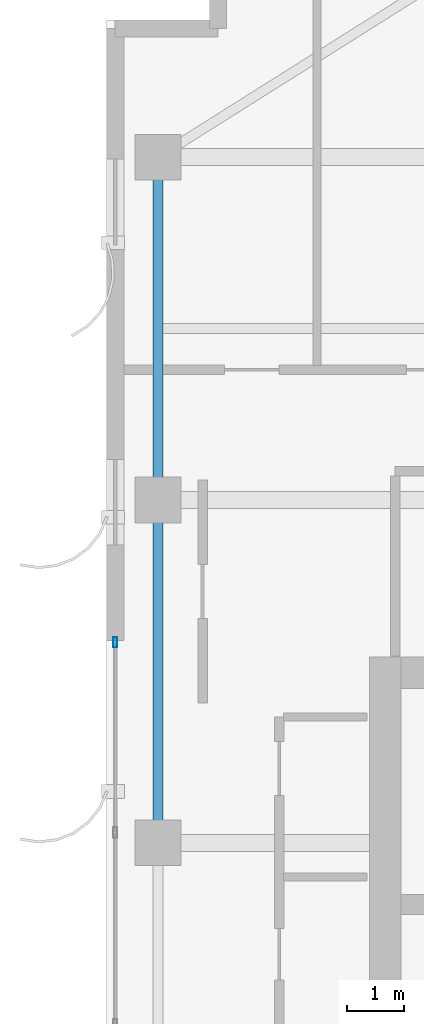
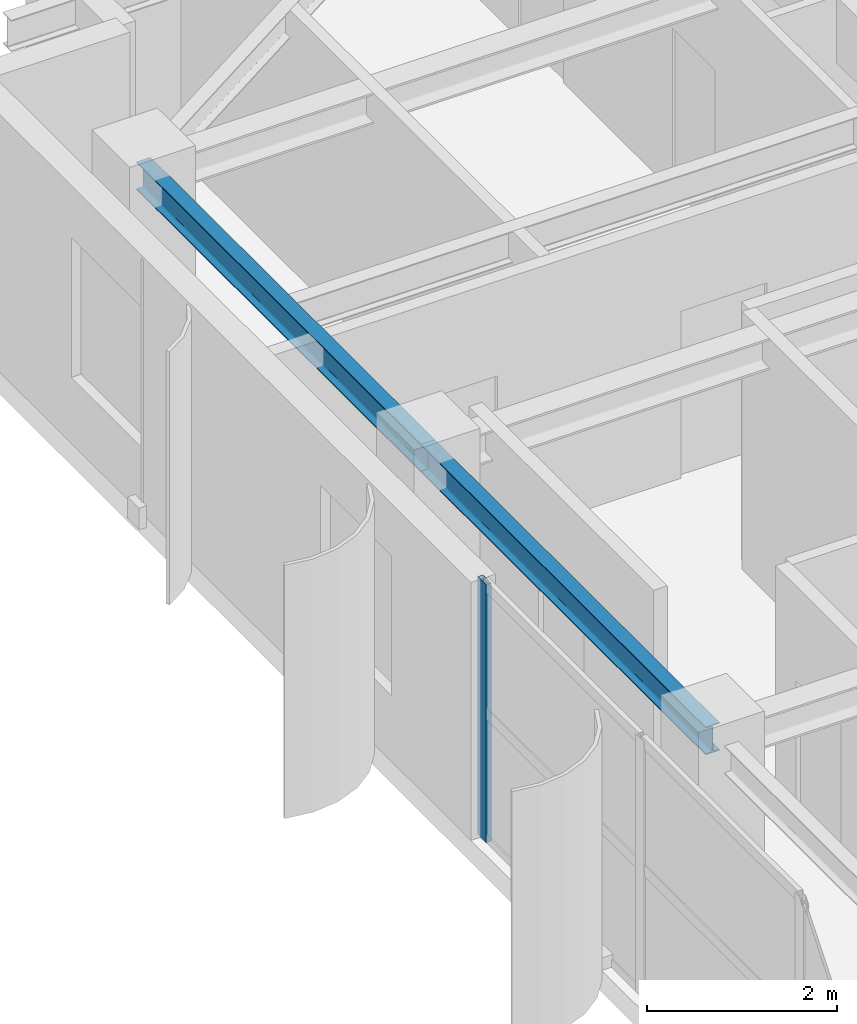
# One storey, part 10 of 23: 2 beams, 1 member, 1 element without a shape of its own.
"""IFC4 building model written with IfcOpenShell, lengths in metres."""

import ifcopenshell
import ifcopenshell.guid

model = None  # the IFC model being written
_history = None  # IfcOwnerHistory: only IFC2X3 demands one
_inside = {}  # id of a spatial element -> (the spatial element, [elements in it])
_under = {}  # id of a project, library or spatial element -> (it, [spatial elements below it])
_declared = {}  # id of a project -> (the project, [libraries it declares])
_typed = {}  # id of a type object -> (the type object, [elements of that type])
_made_of = {}  # id of a material, layer set ... -> (it, [elements and type objects made of it])


def new_model(schema):
    """Start an empty IFC model of exactly this schema.

    Asked for "IFC4X3", IfcOpenShell would pick the latest addendum, in which some entities
    have other attributes; the version numbers below select the first issue.
    IFC2X3 requires an IfcOwnerHistory on every rooted entity: one is made here for all.
    """
    global model, _history
    if schema == "IFC4X3":
        model = ifcopenshell.file(schema_version=(4, 3, 0, 0))
    else:
        model = ifcopenshell.file(schema=schema)
    _inside.clear()
    _under.clear()
    _declared.clear()
    _typed.clear()
    _made_of.clear()
    _history = None
    if model.schema == "IFC2X3":
        org = make("IfcOrganization", Name="unknown")
        user = make(
            "IfcPersonAndOrganization",
            ThePerson=make("IfcPerson", FamilyName="unknown"),
            TheOrganization=org,
        )
        app = make(
            "IfcApplication",
            ApplicationDeveloper=org,
            Version="unknown",
            ApplicationFullName="unknown",
            ApplicationIdentifier="unknown",
        )
        _history = make(
            "IfcOwnerHistory",
            OwningUser=user,
            OwningApplication=app,
            ChangeAction="ADDED",
            CreationDate=0,
        )
    return model


def make(cls, **values):
    """One entity of the class cls with the attributes given. An attribute that is None is left unset."""
    return model.create_entity(
        cls, **{name: value for name, value in values.items() if value is not None}
    )


def rooted(cls, **values):
    """An entity with a GlobalId (a new one), such as an element, a storey or a relation."""
    return make(cls, GlobalId=ifcopenshell.guid.new(), OwnerHistory=_history, **values)


def si_unit(unit_type, name, prefix=None):
    """IfcSIUnit, for example si_unit("LENGTHUNIT", "METRE", prefix="MILLI")."""
    return make("IfcSIUnit", UnitType=unit_type, Prefix=prefix, Name=name)


def assignment(units):
    """IfcUnitAssignment: the units of a project."""
    return None if units is None else make("IfcUnitAssignment", Units=units)


def point(xyz):
    """IfcCartesianPoint."""
    return None if xyz is None else make("IfcCartesianPoint", Coordinates=xyz)


def direction(xyz):
    """IfcDirection."""
    return None if xyz is None else make("IfcDirection", DirectionRatios=xyz)


def frame(location, z_axis=None, x_axis=None):
    """IfcAxis2Placement3D, a coordinate frame: its origin and axes. An axis left out is left unset."""
    return make(
        "IfcAxis2Placement3D",
        Location=point(location),
        Axis=direction(z_axis),
        RefDirection=direction(x_axis),
    )


def frame_2d(location, x_axis=None):
    """IfcAxis2Placement2D, a coordinate frame in the plane: its origin and x axis."""
    return make(
        "IfcAxis2Placement2D", Location=point(location), RefDirection=direction(x_axis)
    )


def origin():
    """The frame at (0, 0, 0) with its axes left unset."""
    return frame((0.0, 0.0, 0.0))


def origin_2d():
    """The frame at (0, 0) in the plane with its x axis left unset."""
    return frame_2d((0.0, 0.0))


def place(relative_to, where):
    """IfcLocalPlacement: puts the frame where relative to a parent placement (None: the world)."""
    return make(
        "IfcLocalPlacement", PlacementRelTo=relative_to, RelativePlacement=where
    )


def context(
    kind, dimensions, precision=None, world=None, true_north=None, identifier=None
):
    """IfcGeometricRepresentationContext, for example the 3D "Model" context."""
    return make(
        "IfcGeometricRepresentationContext",
        ContextIdentifier=identifier,
        ContextType=kind,
        CoordinateSpaceDimension=dimensions,
        Precision=precision,
        WorldCoordinateSystem=world,
        TrueNorth=true_north,
    )


def subcontext(parent, identifier, kind, view, scale=None):
    """IfcGeometricRepresentationSubContext, for example "Body" below "Model"."""
    return make(
        "IfcGeometricRepresentationSubContext",
        ContextIdentifier=identifier,
        ContextType=kind,
        ParentContext=parent,
        TargetScale=scale,
        TargetView=view,
    )


def project(units=None, contexts=None):
    """IfcProject with its units and contexts."""
    return rooted(
        "IfcProject",
        Name="project",
        RepresentationContexts=contexts,
        UnitsInContext=assignment(units),
    )


def spatial(cls, under=None, at=None, **own):
    """A site, building, storey or space (cls), placed at a placement, below another one or the project."""
    s = rooted(cls, ObjectPlacement=at, **own)
    if under is not None:
        _under.setdefault(under.id(), (under, []))[1].append(s)
    return s


def profile(cls, at=None, kind="AREA", **sizes):
    """A parametric profile (cls). Its sizes go by their IFC names, for example OverallWidth=200.0."""
    return make(cls, ProfileType=kind, Position=at, **sizes)


def hollow_rectangle(**sizes):
    """IfcRectangleHollowProfileDef."""
    return profile("IfcRectangleHollowProfileDef", **sizes)


def i_section(**sizes):
    """IfcIShapeProfileDef."""
    return profile("IfcIShapeProfileDef", **sizes)


def extrude(swept, where, along, depth):
    """IfcExtrudedAreaSolid: the profile swept, set in the frame where, extruded along a direction by depth."""
    return make(
        "IfcExtrudedAreaSolid",
        SweptArea=swept,
        Position=where,
        ExtrudedDirection=direction(along),
        Depth=depth,
    )


def shape(context_of_items, identifier, shape_type, items):
    """IfcShapeRepresentation: the items that make up one representation, for example the "Body"."""
    return make(
        "IfcShapeRepresentation",
        ContextOfItems=context_of_items,
        RepresentationIdentifier=identifier,
        RepresentationType=shape_type,
        Items=items,
    )


def source(mapping_origin, context_of_items, identifier, shape_type, items):
    """IfcRepresentationMap: a shape defined once, which mapped items show again and again."""
    return make(
        "IfcRepresentationMap",
        MappingOrigin=mapping_origin,
        MappedRepresentation=shape(context_of_items, identifier, shape_type, items),
    )


def transform(
    local_origin,
    x_axis=None,
    y_axis=None,
    z_axis=None,
    scale=None,
    scale2=None,
    scale3=None,
    uniform=True,
):
    """IfcCartesianTransformationOperator3D, or its non-uniform kind. x_axis, y_axis, z_axis: its Axis1, 2, 3."""
    if uniform:
        return make(
            "IfcCartesianTransformationOperator3D",
            Axis1=direction(x_axis),
            Axis2=direction(y_axis),
            LocalOrigin=point(local_origin),
            Scale=scale,
            Axis3=direction(z_axis),
        )
    return make(
        "IfcCartesianTransformationOperator3DnonUniform",
        Axis1=direction(x_axis),
        Axis2=direction(y_axis),
        LocalOrigin=point(local_origin),
        Scale=scale,
        Axis3=direction(z_axis),
        Scale2=scale2,
        Scale3=scale3,
    )


def mapped(mapping_source, mapping_target):
    """IfcMappedItem: shows the shape of a source again, moved by a transform."""
    return make(
        "IfcMappedItem", MappingSource=mapping_source, MappingTarget=mapping_target
    )


def material(Name=None, Category=None):
    """IfcMaterial."""
    return make("IfcMaterial", Name=Name, Category=Category)


def layer(
    of_material, thickness, ventilated=None, Name=None, Category=None, Priority=None
):
    """IfcMaterialLayer: one layer of a wall or slab, of a material (None: an air gap)."""
    return make(
        "IfcMaterialLayer",
        Material=of_material,
        LayerThickness=thickness,
        IsVentilated=ventilated,
        Name=Name,
        Category=Category,
        Priority=Priority,
    )


def layer_set(layers, Name=None):
    """IfcMaterialLayerSet."""
    return make("IfcMaterialLayerSet", MaterialLayers=layers, LayerSetName=Name)


def material_profile(
    of_material, cross_section, Name=None, Category=None, Priority=None
):
    """IfcMaterialProfile: a cross section and its material."""
    return make(
        "IfcMaterialProfile",
        Name=Name,
        Material=of_material,
        Profile=cross_section,
        Priority=Priority,
        Category=Category,
    )


def profile_set(profiles, Name=None, composite=None):
    """IfcMaterialProfileSet."""
    return make(
        "IfcMaterialProfileSet",
        Name=Name,
        MaterialProfiles=profiles,
        CompositeProfile=composite,
    )


def made_of(thing, what):
    """Note that an element or type object is made of a material, layer set ...; save() writes the relation."""
    if what is not None:
        _made_of.setdefault(what.id(), (what, []))[1].append(thing)
    return thing


def type_object(cls, material=None, **own):
    """A type object (cls), such as IfcWallType, which elements share."""
    return made_of(rooted(cls, **own), material)


def element(
    cls,
    number,
    at=None,
    inside=None,
    cuts=None,
    type_object=None,
    material=None,
    context=None,
    identifier="Body",
    shape_type=None,
    held_by="IfcProductDefinitionShape",
    body=None,
    shapes=None,
    **own,
):
    """One element of the class cls, such as IfcWall. Its Tag is "e" and its number.

    at: its placement. inside: the storey or other place that contains it. cuts: it is an
    opening in that element (IfcRelVoidsElement). A single representation is given by context,
    identifier, shape_type and body (its items); several are given by shapes. held_by: the class
    of the entity that holds the representations. save() writes the other relations.
    """
    e = rooted(cls, Tag="e%d" % number, ObjectPlacement=at, **own)
    if body is not None:
        shapes = [shape(context, identifier, shape_type, body)]
    if shapes is not None:
        e.Representation = make(held_by, Representations=shapes)
    if inside is not None:
        _inside.setdefault(inside.id(), (inside, []))[1].append(e)
    if cuts is not None:
        rooted(
            "IfcRelVoidsElement", RelatingBuildingElement=cuts, RelatedOpeningElement=e
        )
    if type_object is not None:
        _typed.setdefault(type_object.id(), (type_object, []))[1].append(e)
    return made_of(e, material)


def aggregate(whole, parts):
    """IfcRelAggregates: a whole, such as a stair, and the parts it consists of."""
    return rooted("IfcRelAggregates", RelatingObject=whole, RelatedObjects=parts)


def save(model, path):
    """Write the relations noted so far, then the file.

    IfcRelAggregates (storeys below a building ...), IfcRelContainedInSpatialStructure (elements
    in a storey), IfcRelDefinesByType, IfcRelAssociatesMaterial and IfcRelDeclares: one each for
    every whole, place, type object, material and project.
    """
    for whole, parts in _under.values():
        aggregate(whole, parts)
    for where, things in _inside.values():
        rooted(
            "IfcRelContainedInSpatialStructure",
            RelatedElements=things,
            RelatingStructure=where,
        )
    for kind, things in _typed.values():
        rooted("IfcRelDefinesByType", RelatedObjects=things, RelatingType=kind)
    for what, things in _made_of.values():
        rooted("IfcRelAssociatesMaterial", RelatedObjects=things, RelatingMaterial=what)
    for by, libraries in _declared.values():
        rooted("IfcRelDeclares", RelatingContext=by, RelatedDefinitions=libraries)
    model.write(path)


model = new_model("IFC4")

# Units and contexts
model_context = context("Model", 3, precision=1e-05, world=origin(), true_north=direction((0.0, 1.0)))
body_context = subcontext(model_context, "Body", "Model", "MODEL_VIEW")
ifc_project = project(units=[si_unit("LENGTHUNIT", "METRE"), si_unit("AREAUNIT", "SQUARE_METRE"), si_unit("VOLUMEUNIT", "CUBIC_METRE"), si_unit("PLANEANGLEUNIT", "RADIAN"), si_unit("MASSUNIT", "GRAM", prefix="KILO")], contexts=[model_context])

# Site, building, storey
site_placement = place(None, origin())
site = spatial("IfcSite", under=ifc_project, at=site_placement, CompositionType="ELEMENT")
building_placement = place(site_placement, origin())
building = spatial("IfcBuilding", under=site, at=building_placement, Name="Khoralis Quay Care Tower", CompositionType="ELEMENT")
storey_placement = place(building_placement, frame((0.0, 0.0, 270.89990234375)))
storey = spatial("IfcBuildingStorey", under=building, at=storey_placement, Name="L71", CompositionType="ELEMENT", Elevation=270.89990234375)

# Beams
ifc_material_1 = material(Name="Steel S355", Category="steel")
ifc_material_profile_1 = material_profile(ifc_material_1, i_section(OverallWidth=0.169921875, OverallDepth=0.360107421875, WebThickness=0.008056640625, FlangeThickness=0.0126953125, FilletRadius=0.01806640625, at=origin_2d()), Name="Steel S355")
ifc_profile_set_1 = profile_set([ifc_material_profile_1], Name="Steel S355")
beam_type = type_object("IfcBeamType", Name="BM-IPE360", PredefinedType="SPANDREL", material=ifc_profile_set_1)
shared_shape_1 = source(origin(), body_context, "Body", "SweptSolid", [
    extrude(i_section(OverallWidth=0.169921875, OverallDepth=0.360107421875, WebThickness=0.008056640625, FlangeThickness=0.0126953125, FilletRadius=0.01806640625, at=origin_2d()), origin(), (0.0, 0.0, 1.0), 6.0),
])
for number, where, z_axis, x_axis, name in (
    (1, (3.89990234375, 24.0, 3.14013671875), (0.0, 1.0, 0.0), (-1.0, 0.0, 0.0), "BM-TSP-L71-11"),
    (2, (3.89990234375, 30.0, 3.14013671875), (0.0, 1.0, 0.0), (-1.0, 0.0, 0.0), "BM-TSP-L71-12"),
):
    element("IfcBeam", number, at=place(storey_placement, frame(where, z_axis=z_axis, x_axis=x_axis)), inside=storey, type_object=beam_type, Name=name, PredefinedType="SPANDREL", context=body_context, shape_type="MappedRepresentation", body=[
        mapped(shared_shape_1, transform((0.0, 0.0, 0.0), scale=1.0)),
    ])

# Curtain wall, member
ifc_material_2 = material(Name="Pale anodised aluminium", Category="aluminium")
ifc_layer = layer(ifc_material_2, 0.159912109375)
ifc_layer_set = layer_set([ifc_layer], Name="Pale anodised aluminium")
curtain_wall_type = type_object("IfcCurtainWallType", Name="CW-SYS-Z3", PredefinedType="NOTDEFINED", material=ifc_layer_set)
curtain_wall_placement = place(storey_placement, origin())
curtain_wall = element("IfcCurtainWall", 3, at=curtain_wall_placement, inside=storey, type_object=curtain_wall_type, Name="L71 Unitised Curtain Wall CW-L71-P1-E15", PredefinedType="NOTDEFINED")
ifc_material_profile_2 = material_profile(ifc_material_2, hollow_rectangle(XDim=0.06494140625, YDim=0.179931640625, WallThickness=0.00390625, at=origin_2d()), Name="Pale anodised aluminium")
ifc_profile_set_2 = profile_set([ifc_material_profile_2], Name="Pale anodised aluminium")
member_type = type_object("IfcMemberType", Name="CW-MUL-180", PredefinedType="MULLION", material=ifc_profile_set_2)
shared_shape_2 = source(origin(), body_context, "Body", "SweptSolid", [
    extrude(hollow_rectangle(XDim=0.06494140625, YDim=0.179931640625, WallThickness=0.00390625, at=origin_2d()), origin(), (0.0, 0.0, 1.0), 3.320068359375),
])
member_placement = place(storey_placement, frame((3.14990234375, 27.510009765625, 0.0), z_axis=(0.0, 0.0, 1.0), x_axis=(1.0, 0.0, 0.0)))
member = element("IfcMember", 4, at=member_placement, type_object=member_type, Name="CW3 mullion 1", PredefinedType="MULLION", context=body_context, shape_type="MappedRepresentation", body=[
    mapped(shared_shape_2, transform((0.0, 0.0, 0.0), scale=1.0)),
])
aggregate(curtain_wall, [member])

save(model, "model.ifc")
